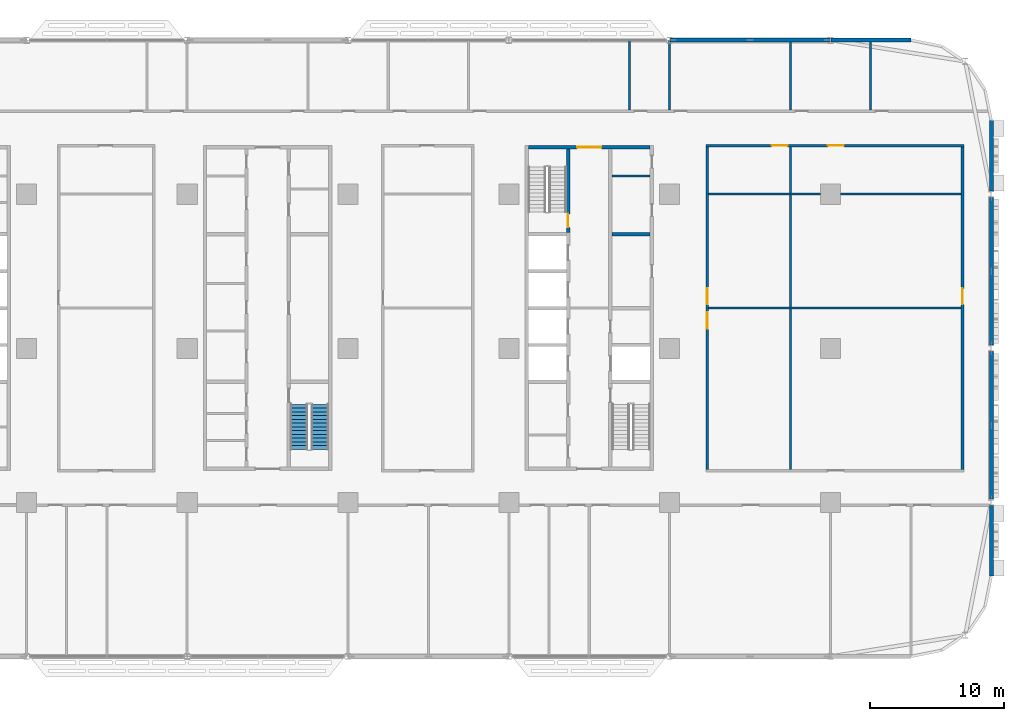
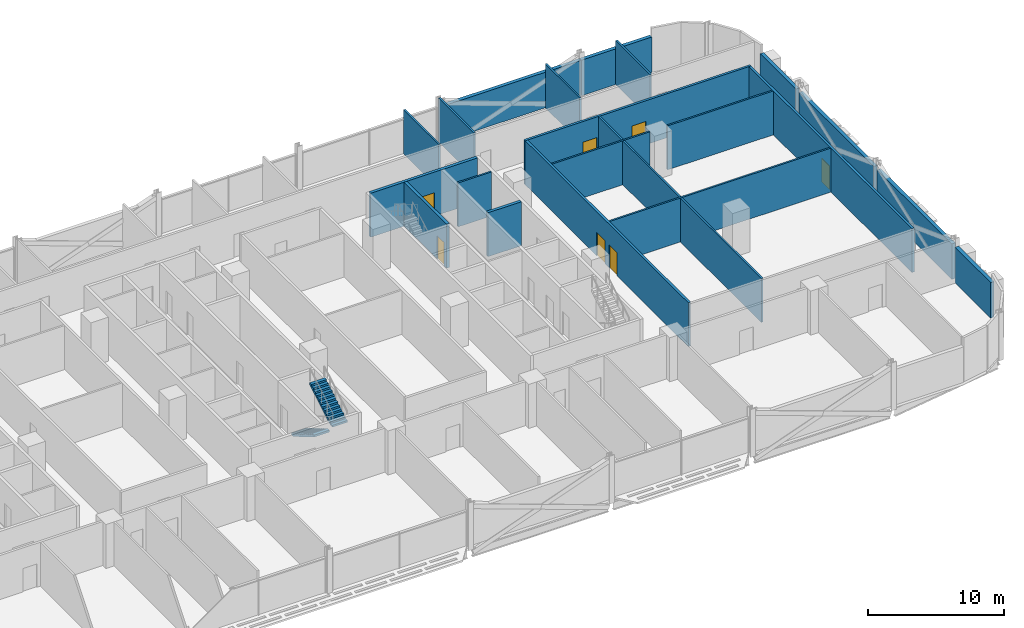
# One storey, part 18 of 30: 21 walls, 7 doors, 2 stair flights, 7 openings, 1 element without a shape of its own.
"""IFC4 building model written with IfcOpenShell, lengths in metres."""

from ifc_helpers import new_model, si_unit, direction, frame, frame_2d, origin, place, context, subcontext, project, spatial, polyline, rectangle, outline, extrude, material, layer, layer_set, type_object, element, fill, aggregate, save


model = new_model("IFC4")

# Units and contexts
model_context = context("Model", 3, precision=1e-05, world=origin(), true_north=direction((0.0, 1.0)))
body_context = subcontext(model_context, "Body", "Model", "MODEL_VIEW")
ifc_project = project(units=[si_unit("LENGTHUNIT", "METRE"), si_unit("AREAUNIT", "SQUARE_METRE"), si_unit("VOLUMEUNIT", "CUBIC_METRE"), si_unit("PLANEANGLEUNIT", "RADIAN"), si_unit("MASSUNIT", "GRAM", prefix="KILO")], contexts=[model_context])

# Site, building, storey
site_placement = place(None, origin())
site = spatial("IfcSite", under=ifc_project, at=site_placement, CompositionType="ELEMENT")
building_placement = place(site_placement, origin())
building = spatial("IfcBuilding", under=site, at=building_placement, Name="Mahtab Terrace Research Tower", CompositionType="ELEMENT")
storey_placement = place(building_placement, frame((0.0, 0.0, 50.300048828125)))
storey = spatial("IfcBuildingStorey", under=building, at=storey_placement, Name="L11", CompositionType="ELEMENT", Elevation=50.300048828125)

# Wall
ifc_material_1 = material(Name="Gypsum board partition")
ifc_layer_1 = layer(ifc_material_1, 0.14990234375)
ifc_layer_set_1 = layer_set([ifc_layer_1], Name="Core partition 150")
wall_type_1 = type_object("IfcWallType", Name="Core partition 150", PredefinedType="PARTITIONING", material=ifc_layer_set_1)
wall_1_placement = place(storey_placement, frame((25.699951171875, 12.875, 0.0), z_axis=(0.0, 0.0, 1.0), x_axis=(1.0, 0.0, 0.0)))
element("IfcWall", 1, at=wall_1_placement, inside=storey, type_object=wall_type_1, Name="Core wall C pEN988", PredefinedType="PARTITIONING", context=body_context, shape_type="SweptSolid", body=[
    extrude(rectangle(XDim=2.85009765625, YDim=0.14990234375, at=frame_2d((1.425048828125, 0.0))), origin(), (0.0, 0.0, 1.0), 3.9599609375),
])

# Wall, opening, door
ifc_material_2 = material(Name="Concrete C70/85", Category="concrete")
ifc_layer_2 = layer(ifc_material_2, 0.25)
ifc_layer_set_2 = layer_set([ifc_layer_2], Name="Core wall 250")
wall_type_2 = type_object("IfcWallType", Name="Core wall 250", PredefinedType="SOLIDWALL", material=ifc_layer_set_2)
wall_2_placement = place(storey_placement, frame((19.449951171875, 15.0, 0.0), z_axis=(0.0, 0.0, 1.0), x_axis=(1.0, 0.0, 0.0)))
wall_2 = element("IfcWall", 2, at=wall_2_placement, inside=storey, type_object=wall_type_2, Name="Core wall C endN", PredefinedType="SOLIDWALL", context=body_context, shape_type="SweptSolid", body=[
    extrude(rectangle(XDim=9.10009765625, YDim=0.25, at=frame_2d((4.550048828125, 0.0))), origin(), (0.0, 0.0, 1.0), 3.9599609375),
])
opening_1_placement = place(wall_2_placement, frame((3.64990234375, 0.0, 0.0)))
opening_1 = element("IfcOpeningElement", 3, at=opening_1_placement, cuts=wall_2, Name="Opening C-N1", PredefinedType="OPENING", context=body_context, shape_type="SweptSolid", body=[
    extrude(rectangle(XDim=1.800048828125, YDim=2.10009765625, at=frame_2d((0.89990234375, 1.050048828125))), frame((0.0, 0.135009765625, 0.0), z_axis=(0.0, -1.0, 0.0), x_axis=(1.0, 0.0, 0.0)), (0.0, 0.0, 1.0), 0.27001953125),
])
ifc_material_3 = material(Name="Steel fire door", Category="steel")
door_type_1 = type_object("IfcDoorType", Name="Lobby double door 1800x2100 1 HR", OperationType="DOUBLE_DOOR_SINGLE_SWING", PredefinedType="DOOR", material=ifc_material_3)
door_1_placement = place(opening_1_placement, origin())
door_1 = element("IfcDoor", 4, at=door_1_placement, inside=storey, type_object=door_type_1, Name="Core entrance door C N", OperationType="DOUBLE_DOOR_SINGLE_SWING", OverallHeight=2.10009765625, OverallWidth=1.800048828125, PredefinedType="DOOR", context=body_context, shape_type="SweptSolid", body=[
    extrude(rectangle(XDim=1.800048828125, YDim=2.10009765625, at=frame_2d((0.89990234375, 1.050048828125))), frame((0.0, 0.02490234375, 0.0), z_axis=(0.0, -1.0, 0.0), x_axis=(1.0, 0.0, 0.0)), (0.0, 0.0, 1.0), 0.050048828125),
])
fill(opening_1, door_1)

wall_3_placement = place(storey_placement, frame((22.425048828125, 14.875, 0.0), z_axis=(0.0, 0.0, 1.0), x_axis=(0.0, -1.0, 0.0)))
wall_3 = element("IfcWall", 5, at=wall_3_placement, inside=storey, type_object=wall_type_2, Name="Core wall C innerWN", PredefinedType="SOLIDWALL", context=body_context, shape_type="SweptSolid", body=[
    extrude(rectangle(XDim=6.25, YDim=0.25, at=frame_2d((3.125, 0.0))), origin(), (0.0, 0.0, 1.0), 3.9599609375),
])
opening_2_placement = place(wall_3_placement, frame((4.85009765625, 0.0, 0.0)))
opening_2 = element("IfcOpeningElement", 6, at=opening_2_placement, cuts=wall_3, Name="Opening C-ST3", PredefinedType="OPENING", context=body_context, shape_type="SweptSolid", body=[
    extrude(rectangle(XDim=1.0, YDim=2.10009765625, at=frame_2d((0.5, 1.050048828125))), frame((0.0, 0.135009765625, 0.0), z_axis=(0.0, -1.0, 0.0), x_axis=(1.0, 0.0, 0.0)), (0.0, 0.0, 1.0), 0.27001953125),
])
door_type_2 = type_object("IfcDoorType", Name="Stair door 1000x2100 1.5 HR", OperationType="NOTDEFINED", PredefinedType="DOOR", material=ifc_material_3)
door_2_placement = place(opening_2_placement, origin())
door_2 = element("IfcDoor", 7, at=door_2_placement, inside=storey, type_object=door_type_2, Name="Stair door ST3 L11", OperationType="SINGLE_SWING_LEFT", OverallHeight=2.10009765625, OverallWidth=1.0, PredefinedType="DOOR", context=body_context, shape_type="SweptSolid", body=[
    extrude(rectangle(XDim=1.0, YDim=2.10009765625, at=frame_2d((0.5, 1.050048828125))), frame((0.0, 0.02490234375, 0.0), z_axis=(0.0, -1.0, 0.0), x_axis=(1.0, 0.0, 0.0)), (0.0, 0.0, 1.0), 0.050048828125),
])
fill(opening_2, door_2)

# Walls
wall_4_placement = place(storey_placement, frame((25.699951171875, 8.5, 0.0), z_axis=(0.0, 0.0, 1.0), x_axis=(1.0, 0.0, 0.0)))
element("IfcWall", 8, at=wall_4_placement, inside=storey, type_object=wall_type_2, Name="Core wall C divE4", PredefinedType="SOLIDWALL", context=body_context, shape_type="SweptSolid", body=[
    extrude(rectangle(XDim=2.85009765625, YDim=0.25, at=frame_2d((1.425048828125, 0.0))), origin(), (0.0, 0.0, 1.0), 3.9599609375),
])
ifc_material_4 = material(Name="Black aluminium cladding panel", Category="aluminium")
ifc_layer_3 = layer(ifc_material_4, 0.300048828125)
ifc_layer_set_3 = layer_set([ifc_layer_3], Name="Opaque facade wall 300")
wall_type_3 = type_object("IfcWallType", Name="Opaque facade wall 300", PredefinedType="NOTDEFINED", material=ifc_layer_set_3)
wall_5_placement = place(storey_placement, frame((48.0, 23.0, 0.0), z_axis=(0.0, 0.0, 1.0), x_axis=(-1.0, 0.0, 0.0)))
element("IfcWall", 9, at=wall_5_placement, inside=storey, type_object=wall_type_3, Name="Opaque facade wall L11 N3", PredefinedType="NOTDEFINED", context=body_context, shape_type="SweptSolid", body=[
    extrude(rectangle(XDim=5.97607421875, YDim=0.300048828125, at=frame_2d((2.988037109375, 0.0))), origin(), (0.0, 0.0, 1.0), 3.203125),
])
wall_6_placement = place(storey_placement, frame((41.97607421875, 23.0, 0.0), z_axis=(0.0, 0.0, 1.0), x_axis=(-1.0, 0.0, 0.0)))
element("IfcWall", 10, at=wall_6_placement, inside=storey, type_object=wall_type_3, Name="Opaque facade wall L11 N4", PredefinedType="NOTDEFINED", context=body_context, shape_type="SweptSolid", body=[
    extrude(rectangle(XDim=11.9521484375, YDim=0.300048828125, at=frame_2d((5.97607421875, 0.0))), origin(), (0.0, 0.0, 1.0), 3.203125),
])
wall_7_placement = place(storey_placement, frame((54.0, -17.0, 0.0), z_axis=(0.0, 0.0, 1.0), x_axis=(0.0, 1.0, 0.0)))
element("IfcWall", 11, at=wall_7_placement, inside=storey, type_object=wall_type_3, Name="Opaque facade wall L11 E35", PredefinedType="NOTDEFINED", context=body_context, shape_type="SweptSolid", body=[
    extrude(rectangle(XDim=5.261962890625, YDim=0.300048828125, at=frame_2d((2.630859375, 0.0))), origin(), (0.0, 0.0, 1.0), 3.203125),
])
for number, where, z_axis, x_axis, name in (
    (12, (54.0, -11.261962890625, 0.0), (0.0, 0.0, 1.0), (0.0, 1.0, 0.0), "Opaque facade wall L11 E36"),
    (13, (54.0, 0.238037109375, 0.0), (0.0, 0.0, 1.0), (0.0, 1.0, 0.0), "Opaque facade wall L11 E37"),
):
    element("IfcWall", number, at=place(storey_placement, frame(where, z_axis=z_axis, x_axis=x_axis)), inside=storey, type_object=wall_type_3, Name=name, PredefinedType="NOTDEFINED", context=body_context, shape_type="SweptSolid", body=[
        extrude(rectangle(XDim=11.02392578125, YDim=0.300048828125, at=frame_2d((5.511962890625, 0.0))), origin(), (0.0, 0.0, 1.0), 3.203125),
    ])
wall_8_placement = place(storey_placement, frame((54.0, 11.738037109375, 0.0), z_axis=(0.0, 0.0, 1.0), x_axis=(0.0, 1.0, 0.0)))
element("IfcWall", 14, at=wall_8_placement, inside=storey, type_object=wall_type_3, Name="Opaque facade wall L11 E38", PredefinedType="NOTDEFINED", context=body_context, shape_type="SweptSolid", body=[
    extrude(rectangle(XDim=5.261962890625, YDim=0.300048828125, at=frame_2d((2.630859375, 0.0))), origin(), (0.0, 0.0, 1.0), 3.203125),
])

# Wall, openings, doors
ifc_material_5 = material(Name="Gypsum board corridor wall on steel studs", Category="steel")
ifc_layer_4 = layer(ifc_material_5, 0.199951171875)
ifc_layer_set_4 = layer_set([ifc_layer_4], Name="WALL CORRIDOR 200")
wall_type_4 = type_object("IfcWallType", Name="WALL CORRIDOR 200", PredefinedType="PARTITIONING", material=ifc_layer_set_4)
wall_9_placement = place(storey_placement, frame((32.699951171875, 15.125, 0.0), z_axis=(0.0, 0.0, 1.0), x_axis=(1.0, 0.0, 0.0)))
wall_9 = element("IfcWall", 15, at=wall_9_placement, inside=storey, type_object=wall_type_4, Name="L11-W025", PredefinedType="PARTITIONING", context=body_context, shape_type="SweptSolid", body=[
    extrude(rectangle(XDim=19.25, YDim=0.199951171875, at=frame_2d((9.625, 0.0))), origin(), (0.0, 0.0, 1.0), 3.9599609375),
])
opening_3_placement = place(wall_9_placement, frame((4.89990234375, 0.0, 0.0)))
opening_3 = element("IfcOpeningElement", 16, at=opening_3_placement, cuts=wall_9, Name="Opening L11-129", PredefinedType="OPENING", context=body_context, shape_type="SweptSolid", body=[
    extrude(rectangle(XDim=1.199951171875, YDim=2.10009765625, at=frame_2d((0.60009765625, 1.050048828125))), frame((0.0, 0.10986328125, 0.0), z_axis=(0.0, -1.0, 0.0), x_axis=(1.0, 0.0, 0.0)), (0.0, 0.0, 1.0), 0.219970703125),
])
opening_4_placement = place(wall_9_placement, frame((9.10009765625, 0.0, 0.0)))
opening_4 = element("IfcOpeningElement", 17, at=opening_4_placement, cuts=wall_9, Name="Opening L11-130", PredefinedType="OPENING", context=body_context, shape_type="SweptSolid", body=[
    extrude(rectangle(XDim=1.199951171875, YDim=2.10009765625, at=frame_2d((0.60009765625, 1.050048828125))), frame((0.0, 0.10986328125, 0.0), z_axis=(0.0, -1.0, 0.0), x_axis=(1.0, 0.0, 0.0)), (0.0, 0.0, 1.0), 0.219970703125),
])
ifc_material_6 = material(Name="Timber door leaf in steel frame", Category="steel")
door_type_3 = type_object("IfcDoorType", Name="DOOR 1200X2100 FD30S", OperationType="SINGLE_SWING_LEFT", PredefinedType="DOOR", material=ifc_material_6)
door_3_placement = place(opening_3_placement, origin())
door_3 = element("IfcDoor", 18, at=door_3_placement, inside=storey, type_object=door_type_3, Name="Door L11-129", OperationType="SINGLE_SWING_RIGHT", OverallHeight=2.10009765625, OverallWidth=1.199951171875, PredefinedType="DOOR", context=body_context, shape_type="SweptSolid", body=[
    extrude(rectangle(XDim=1.199951171875, YDim=2.10009765625, at=frame_2d((0.60009765625, 1.050048828125))), frame((0.0, 0.02490234375, 0.0), z_axis=(0.0, -1.0, 0.0), x_axis=(1.0, 0.0, 0.0)), (0.0, 0.0, 1.0), 0.050048828125),
])
fill(opening_3, door_3)
door_4_placement = place(opening_4_placement, origin())
door_4 = element("IfcDoor", 19, at=door_4_placement, inside=storey, type_object=door_type_3, Name="Door L11-130", OperationType="SINGLE_SWING_LEFT", OverallHeight=2.10009765625, OverallWidth=1.199951171875, PredefinedType="DOOR", context=body_context, shape_type="SweptSolid", body=[
    extrude(rectangle(XDim=1.199951171875, YDim=2.10009765625, at=frame_2d((0.60009765625, 1.050048828125))), frame((0.0, 0.02490234375, 0.0), z_axis=(0.0, -1.0, 0.0), x_axis=(1.0, 0.0, 0.0)), (0.0, 0.0, 1.0), 0.050048828125),
])
fill(opening_4, door_4)

wall_10_placement = place(storey_placement, frame((32.800048828125, -9.02490234375, 0.0), z_axis=(0.0, 0.0, 1.0), x_axis=(0.0, 1.0, 0.0)))
wall_10 = element("IfcWall", 20, at=wall_10_placement, inside=storey, type_object=wall_type_4, Name="L11-W055", PredefinedType="PARTITIONING", context=body_context, shape_type="SweptSolid", body=[
    extrude(rectangle(XDim=24.0498046875, YDim=0.199951171875, at=frame_2d((12.02490234375, 0.0))), origin(), (0.0, 0.0, 1.0), 3.9599609375),
])
opening_5_placement = place(wall_10_placement, frame((10.5, 0.0, 0.0)))
opening_5 = element("IfcOpeningElement", 21, at=opening_5_placement, cuts=wall_10, Name="Opening L11-119", PredefinedType="OPENING", context=body_context, shape_type="SweptSolid", body=[
    extrude(rectangle(XDim=1.199951171875, YDim=2.10009765625, at=frame_2d((0.60009765625, 1.050048828125))), frame((0.0, 0.10986328125, 0.0), z_axis=(0.0, -1.0, 0.0), x_axis=(1.0, 0.0, 0.0)), (0.0, 0.0, 1.0), 0.219970703125),
])
opening_6_placement = place(wall_10_placement, frame((12.300048828125, 0.0, 0.0)))
opening_6 = element("IfcOpeningElement", 22, at=opening_6_placement, cuts=wall_10, Name="Opening L11-124", PredefinedType="OPENING", context=body_context, shape_type="SweptSolid", body=[
    extrude(rectangle(XDim=1.199951171875, YDim=2.10009765625, at=frame_2d((0.60009765625, 1.050048828125))), frame((0.0, 0.10986328125, 0.0), z_axis=(0.0, -1.0, 0.0), x_axis=(1.0, 0.0, 0.0)), (0.0, 0.0, 1.0), 0.219970703125),
])
door_5_placement = place(opening_5_placement, origin())
door_5 = element("IfcDoor", 23, at=door_5_placement, inside=storey, type_object=door_type_3, Name="Door L11-119", OperationType="SINGLE_SWING_RIGHT", OverallHeight=2.10009765625, OverallWidth=1.199951171875, PredefinedType="DOOR", context=body_context, shape_type="SweptSolid", body=[
    extrude(rectangle(XDim=1.199951171875, YDim=2.10009765625, at=frame_2d((0.60009765625, 1.050048828125))), frame((0.0, 0.02490234375, 0.0), z_axis=(0.0, -1.0, 0.0), x_axis=(1.0, 0.0, 0.0)), (0.0, 0.0, 1.0), 0.050048828125),
])
fill(opening_5, door_5)
door_6_placement = place(opening_6_placement, origin())
door_6 = element("IfcDoor", 24, at=door_6_placement, inside=storey, type_object=door_type_3, Name="Door L11-124", OperationType="SINGLE_SWING_LEFT", OverallHeight=2.10009765625, OverallWidth=1.199951171875, PredefinedType="DOOR", context=body_context, shape_type="SweptSolid", body=[
    extrude(rectangle(XDim=1.199951171875, YDim=2.10009765625, at=frame_2d((0.60009765625, 1.050048828125))), frame((0.0, 0.02490234375, 0.0), z_axis=(0.0, -1.0, 0.0), x_axis=(1.0, 0.0, 0.0)), (0.0, 0.0, 1.0), 0.050048828125),
])
fill(opening_6, door_6)

# Wall, opening, door
wall_11_placement = place(storey_placement, frame((51.85009765625, -9.02490234375, 0.0), z_axis=(0.0, 0.0, 1.0), x_axis=(0.0, 1.0, 0.0)))
wall_11 = element("IfcWall", 25, at=wall_11_placement, inside=storey, type_object=wall_type_4, Name="L11-W061", PredefinedType="PARTITIONING", context=body_context, shape_type="SweptSolid", body=[
    extrude(rectangle(XDim=24.0498046875, YDim=0.199951171875, at=frame_2d((12.02490234375, 0.0))), origin(), (0.0, 0.0, 1.0), 3.9599609375),
])
opening_7_placement = place(wall_11_placement, frame((12.300048828125, 0.0, 0.0)))
opening_7 = element("IfcOpeningElement", 26, at=opening_7_placement, cuts=wall_11, Name="Opening L11-125", PredefinedType="OPENING", context=body_context, shape_type="SweptSolid", body=[
    extrude(rectangle(XDim=1.199951171875, YDim=2.10009765625, at=frame_2d((0.60009765625, 1.050048828125))), frame((0.0, 0.10986328125, 0.0), z_axis=(0.0, -1.0, 0.0), x_axis=(1.0, 0.0, 0.0)), (0.0, 0.0, 1.0), 0.219970703125),
])
door_7_placement = place(opening_7_placement, origin())
door_7 = element("IfcDoor", 27, at=door_7_placement, inside=storey, type_object=door_type_3, Name="Door L11-125", OperationType="SINGLE_SWING_RIGHT", OverallHeight=2.10009765625, OverallWidth=1.199951171875, PredefinedType="DOOR", context=body_context, shape_type="SweptSolid", body=[
    extrude(rectangle(XDim=1.199951171875, YDim=2.10009765625, at=frame_2d((0.60009765625, 1.050048828125))), frame((0.0, 0.02490234375, 0.0), z_axis=(0.0, -1.0, 0.0), x_axis=(1.0, 0.0, 0.0)), (0.0, 0.0, 1.0), 0.050048828125),
])
fill(opening_7, door_7)

# Walls
ifc_material_7 = material(Name="Gypsum board partition on steel studs", Category="steel")
ifc_layer_5 = layer(ifc_material_7, 0.14990234375)
ifc_layer_set_5 = layer_set([ifc_layer_5], Name="WALL PARTITION 150")
wall_type_5 = type_object("IfcWallType", Name="WALL PARTITION 150", PredefinedType="PARTITIONING", material=ifc_layer_set_5)
wall_12_placement = place(storey_placement, frame((32.89990234375, 3.0, 0.0), z_axis=(0.0, 0.0, 1.0), x_axis=(1.0, 0.0, 0.0)))
element("IfcWall", 28, at=wall_12_placement, inside=storey, type_object=wall_type_5, Name="L11-W016", PredefinedType="PARTITIONING", context=body_context, shape_type="SweptSolid", body=[
    extrude(rectangle(XDim=18.85009765625, YDim=0.14990234375, at=frame_2d((9.425048828125, 0.0))), origin(), (0.0, 0.0, 1.0), 3.9599609375),
])
wall_13_placement = place(storey_placement, frame((32.89990234375, 11.5, 0.0), z_axis=(0.0, 0.0, 1.0), x_axis=(1.0, 0.0, 0.0)))
element("IfcWall", 29, at=wall_13_placement, inside=storey, type_object=wall_type_5, Name="L11-W020", PredefinedType="PARTITIONING", context=body_context, shape_type="SweptSolid", body=[
    extrude(rectangle(XDim=8.35009765625, YDim=0.14990234375, at=frame_2d((4.175048828125, 0.0))), origin(), (0.0, 0.0, 1.0), 3.9599609375),
])
wall_14_placement = place(storey_placement, frame((42.75, 11.5, 0.0), z_axis=(0.0, 0.0, 1.0), x_axis=(1.0, 0.0, 0.0)))
element("IfcWall", 30, at=wall_14_placement, inside=storey, type_object=wall_type_5, Name="L11-W021", PredefinedType="PARTITIONING", context=body_context, shape_type="SweptSolid", body=[
    extrude(rectangle(XDim=9.0, YDim=0.14990234375, at=frame_2d((4.5, 0.0))), origin(), (0.0, 0.0, 1.0), 3.9599609375),
])
for number, where, z_axis, x_axis, name in (
    (31, (27.0, 17.800048828125, 0.0), (0.0, 0.0, 1.0), (0.0, 1.0, 0.0), "L11-W052"),
    (32, (30.0, 17.800048828125, 0.0), (0.0, 0.0, 1.0), (0.0, 1.0, 0.0), "L11-W054"),
):
    element("IfcWall", number, at=place(storey_placement, frame(where, z_axis=z_axis, x_axis=x_axis)), inside=storey, type_object=wall_type_5, Name=name, PredefinedType="PARTITIONING", context=body_context, shape_type="SweptSolid", body=[
        extrude(rectangle(XDim=5.175048828125, YDim=0.14990234375, at=frame_2d((2.58740234375, 0.0))), origin(), (0.0, 0.0, 1.0), 3.9599609375),
    ])
wall_15_placement = place(storey_placement, frame((39.0, -9.02490234375, 0.0), z_axis=(0.0, 0.0, 1.0), x_axis=(0.0, 1.0, 0.0)))
element("IfcWall", 33, at=wall_15_placement, inside=storey, type_object=wall_type_5, Name="L11-W056", PredefinedType="PARTITIONING", context=body_context, shape_type="SweptSolid", body=[
    extrude(rectangle(XDim=24.0498046875, YDim=0.14990234375, at=frame_2d((12.02490234375, 0.0))), origin(), (0.0, 0.0, 1.0), 3.9599609375),
])
for number, where, z_axis, x_axis, name in (
    (34, (39.0, 17.800048828125, 0.0), (0.0, 0.0, 1.0), (0.0, 1.0, 0.0), "L11-W057"),
    (35, (45.0, 17.800048828125, 0.0), (0.0, 0.0, 1.0), (0.0, 1.0, 0.0), "L11-W059"),
):
    element("IfcWall", number, at=place(storey_placement, frame(where, z_axis=z_axis, x_axis=x_axis)), inside=storey, type_object=wall_type_5, Name=name, PredefinedType="PARTITIONING", context=body_context, shape_type="SweptSolid", body=[
        extrude(rectangle(XDim=5.050048828125, YDim=0.14990234375, at=frame_2d((2.52490234375, 0.0))), origin(), (0.0, 0.0, 1.0), 3.9599609375),
    ])

# Stair, stair flights
ifc_material_8 = material(Name="Exit stair half-turn")
stair_type = type_object("IfcStairType", Name="Exit stair half-turn", PredefinedType="HALF_TURN_STAIR", material=ifc_material_8)
stair_placement = place(storey_placement, origin())
stair = element("IfcStair", 36, at=stair_placement, inside=storey, type_object=stair_type, Name="L11 Protected exit stair ST2", PredefinedType="HALF_TURN_STAIR")
ifc_material_9 = material(Name="Concrete C40/50", Category="concrete")
stair_flight_type = type_object("IfcStairFlightType", Name="Exit stair flight 1300", PredefinedType="STRAIGHT", material=ifc_material_9)
stair_flight_1_placement = place(storey_placement, frame((2.35009765625, -4.175048828125, 0.0), z_axis=(0.0, 0.0, 1.0), x_axis=(0.0, -1.0, 0.0)))
stair_flight_1 = element("IfcStairFlight", 37, at=stair_flight_1_placement, type_object=stair_flight_type, Name="ST2 flight 1", NumberOfRisers=13, NumberOfTreads=12, PredefinedType="STRAIGHT", RiserHeight=0.165384615, TreadLength=0.28, context=body_context, shape_type="SweptSolid", body=[
    extrude(outline(polyline([(0.0, 0.0), (0.0, 0.165283203125), (0.280029296875, 0.165283203125), (0.280029296875, 0.330810546875), (0.56005859375, 0.330810546875), (0.56005859375, 0.49609375), (0.840087890625, 0.49609375), (0.840087890625, 0.66162109375), (1.1201171875, 0.66162109375), (1.1201171875, 0.826904296875), (1.39990234375, 0.826904296875), (1.39990234375, 0.9921875), (1.679931640625, 0.9921875), (1.679931640625, 1.15771484375), (1.9599609375, 1.15771484375), (1.9599609375, 1.322998046875), (2.239990234375, 1.322998046875), (2.239990234375, 1.488525390625), (2.52001953125, 1.488525390625), (2.52001953125, 1.65380859375), (2.800048828125, 1.65380859375), (2.800048828125, 1.8193359375), (3.080078125, 1.8193359375), (3.080078125, 1.984619140625), (3.360107421875, 1.984619140625), (3.360107421875, 2.14990234375), (3.360107421875, 1.810546875), (0.294677734375, 0.0), (0.0, 0.0)])), frame((0.0, 0.64990234375, 0.0), z_axis=(0.0, -1.0, 0.0), x_axis=(1.0, 0.0, 0.0)), (0.0, 0.0, 1.0), 1.300048828125),
])
stair_flight_2_placement = place(storey_placement, frame((3.89990234375, -7.534912109375, 2.14990234375), z_axis=(0.0, 0.0, 1.0), x_axis=(0.0, 1.0, 0.0)))
stair_flight_2 = element("IfcStairFlight", 38, at=stair_flight_2_placement, type_object=stair_flight_type, Name="ST2 flight 2", NumberOfRisers=13, NumberOfTreads=12, PredefinedType="STRAIGHT", RiserHeight=0.165384615, TreadLength=0.28, context=body_context, shape_type="SweptSolid", body=[
    extrude(outline(polyline([(0.0, 0.0), (0.0, 0.165283203125), (0.280029296875, 0.165283203125), (0.280029296875, 0.330810546875), (0.56005859375, 0.330810546875), (0.56005859375, 0.49609375), (0.840087890625, 0.49609375), (0.840087890625, 0.66162109375), (1.1201171875, 0.66162109375), (1.1201171875, 0.826904296875), (1.39990234375, 0.826904296875), (1.39990234375, 0.9921875), (1.679931640625, 0.9921875), (1.679931640625, 1.15771484375), (1.9599609375, 1.15771484375), (1.9599609375, 1.322998046875), (2.239990234375, 1.322998046875), (2.239990234375, 1.488525390625), (2.52001953125, 1.488525390625), (2.52001953125, 1.65380859375), (2.800048828125, 1.65380859375), (2.800048828125, 1.8193359375), (3.080078125, 1.8193359375), (3.080078125, 1.984619140625), (3.360107421875, 1.984619140625), (3.360107421875, 2.14990234375), (3.360107421875, 1.810546875), (0.294677734375, 0.0), (0.0, 0.0)])), frame((0.0, 0.64990234375, 0.0), z_axis=(0.0, -1.0, 0.0), x_axis=(1.0, 0.0, 0.0)), (0.0, 0.0, 1.0), 1.300048828125),
])
aggregate(stair, [stair_flight_1, stair_flight_2])

save(model, "model.ifc")
